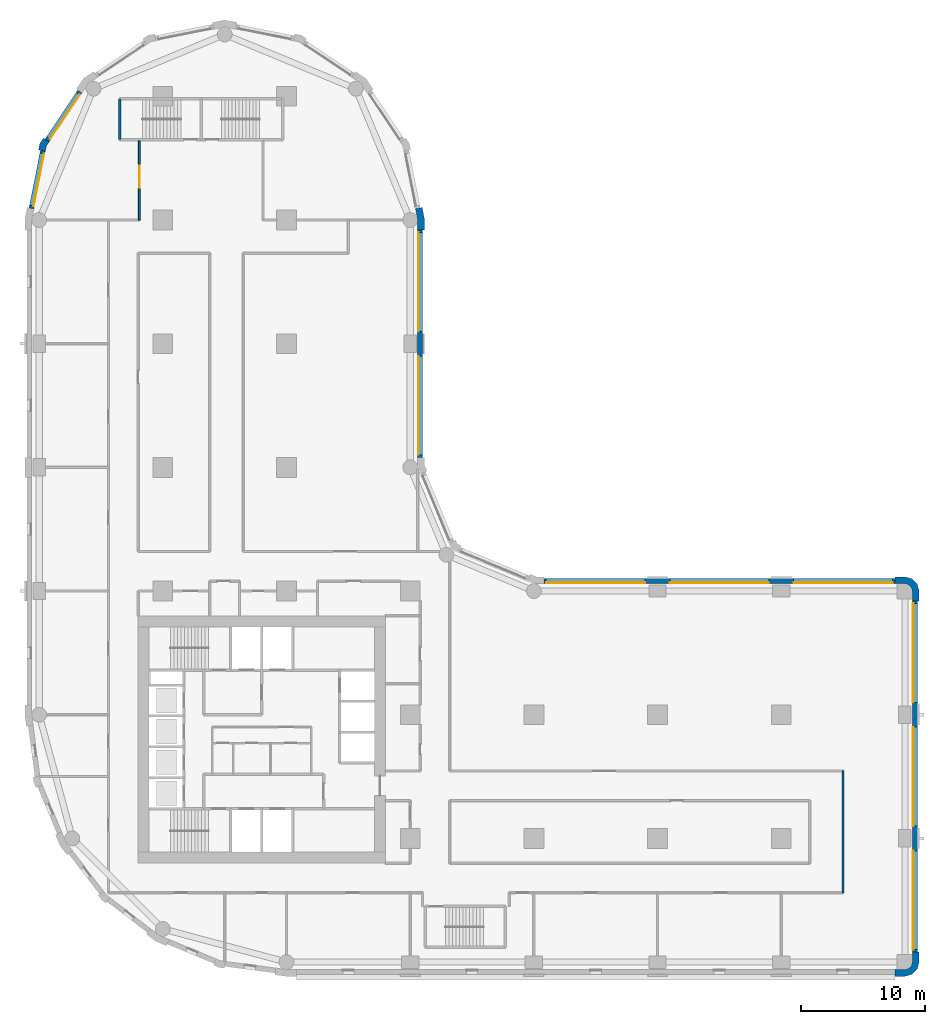
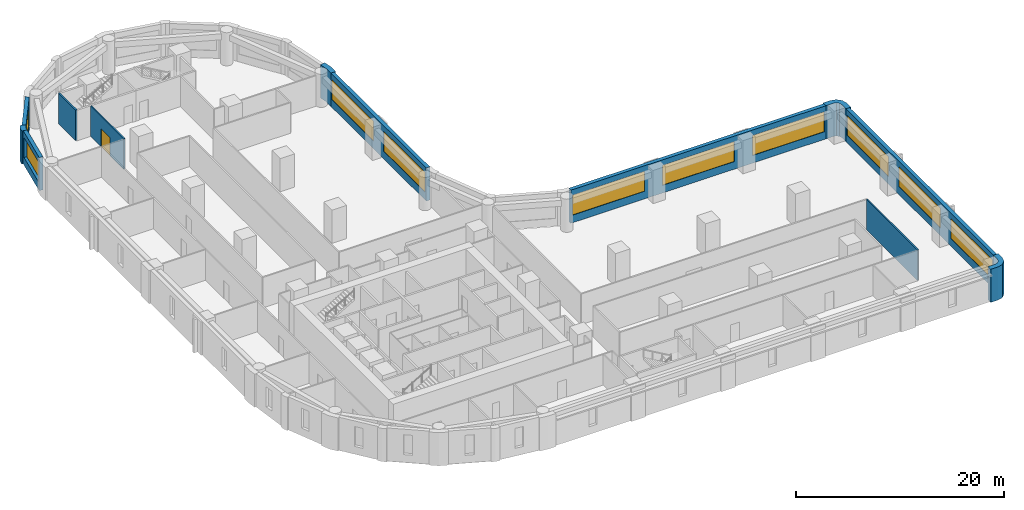
# One storey, part 6 of 10: 12 walls, 10 windows, 1 door, 11 openings.
"""IFC4 building model written with IfcOpenShell, lengths in metres."""

from ifc_helpers import new_model, si_unit, direction, frame, frame_2d, origin, place, context, subcontext, project, spatial, polyline, rectangle, outline, extrude, material, layer, layer_set, type_object, element, fill, save


model = new_model("IFC4")

# Units and contexts
model_context = context("Model", 3, precision=1e-05, world=origin(), true_north=direction((0.0, 1.0)))
body_context = subcontext(model_context, "Body", "Model", "MODEL_VIEW")
ifc_project = project(units=[si_unit("LENGTHUNIT", "METRE"), si_unit("AREAUNIT", "SQUARE_METRE"), si_unit("VOLUMEUNIT", "CUBIC_METRE"), si_unit("PLANEANGLEUNIT", "RADIAN"), si_unit("MASSUNIT", "GRAM", prefix="KILO")], contexts=[model_context])

# Site, building, storey
site_placement = place(None, origin())
site = spatial("IfcSite", under=ifc_project, at=site_placement, CompositionType="ELEMENT")
building_placement = place(site_placement, origin())
building = spatial("IfcBuilding", under=site, at=building_placement, Name="Qaws Garden Tower", CompositionType="ELEMENT")
storey_placement = place(building_placement, frame((0.0, 0.0, 47.10009765625)))
storey = spatial("IfcBuildingStorey", under=building, at=storey_placement, Name="L11", CompositionType="ELEMENT", Elevation=47.10009765625)

# Walls
ifc_material_1 = material(Name="Clay facing brick masonry", Category="masonry")
ifc_layer_1 = layer(ifc_material_1, 0.550048828125)
ifc_layer_set_1 = layer_set([ifc_layer_1], Name="Clay facing brick masonry")
wall_type_1 = type_object("IfcWallType", Name="Brick corner pier 550 x 2400", PredefinedType="SOLIDWALL", material=ifc_layer_set_1)
placement = place(storey_placement, origin())
element("IfcWall", 1, at=placement, inside=storey, type_object=wall_type_1, Name="E-L11-pier-05", PredefinedType="SOLIDWALL", context=body_context, shape_type="SweptSolid", body=[
    extrude(outline(polyline([(69.199951171875, -1.0), (69.199951171875, -1.14990234375), (70.0, -1.14990234375), (70.574951171875, -0.995849609375), (70.995849609375, -0.574951171875), (71.14990234375, 0.0), (71.14990234375, 0.800048828125), (71.0, 0.800048828125), (70.60009765625, 0.800048828125), (70.60009765625, 0.0), (70.51953125, -0.300048828125), (70.300048828125, -0.51953125), (70.0, -0.60009765625), (69.199951171875, -0.60009765625), (69.199951171875, -1.0)])), origin(), (0.0, 0.0, 1.0), 3.89990234375),
])
element("IfcWall", 2, at=placement, inside=storey, type_object=wall_type_1, Name="E-L11-pier-08", PredefinedType="SOLIDWALL", context=body_context, shape_type="SweptSolid", body=[
    extrude(outline(polyline([(71.0, 29.199951171875), (71.14990234375, 29.199951171875), (71.14990234375, 30.0), (70.995849609375, 30.574951171875), (70.574951171875, 30.995849609375), (70.0, 31.14990234375), (69.199951171875, 31.14990234375), (69.199951171875, 31.0), (69.199951171875, 30.60009765625), (70.0, 30.60009765625), (70.300048828125, 30.51953125), (70.51953125, 30.300048828125), (70.60009765625, 30.0), (70.60009765625, 29.199951171875), (71.0, 29.199951171875)])), origin(), (0.0, 0.0, 1.0), 3.89990234375),
])

# Wall, openings, windows
ifc_material_2 = material(Name="Clay facing brick masonry", Category="masonry")
ifc_layer_2 = layer(ifc_material_2, 0.39990234375)
ifc_layer_set_2 = layer_set([ifc_layer_2], Name="Clay facing brick masonry")
wall_type_2 = type_object("IfcWallType", Name="Brick infill wall 400", PredefinedType="SOLIDWALL", material=ifc_layer_set_2)
wall_3_placement = place(storey_placement, frame((70.800048828125, 0.800048828125, 0.0), z_axis=(0.0, 0.0, 1.0), x_axis=(0.0, 1.0, 0.0)))
wall_3 = element("IfcWall", 3, at=wall_3_placement, inside=storey, type_object=wall_type_2, Name="E-L11-infill-05", PredefinedType="SOLIDWALL", context=body_context, shape_type="SweptSolid", body=[
    extrude(rectangle(XDim=28.39990234375, YDim=0.39990234375, at=frame_2d((14.199951171875, 0.0))), origin(), (0.0, 0.0, 1.0), 3.89990234375),
])
opening_1_placement = place(wall_3_placement, frame((0.199951171875, 0.0, 0.89990234375)))
opening_1 = element("IfcOpeningElement", 4, at=opening_1_placement, cuts=wall_3, Name="Opening W01", PredefinedType="OPENING", context=body_context, shape_type="SweptSolid", body=[
    extrude(rectangle(XDim=8.0, YDim=2.35009765625, at=frame_2d((4.0, 1.175048828125))), frame((0.0, 0.2099609375, 0.0), z_axis=(0.0, -1.0, 0.0), x_axis=(1.0, 0.0, 0.0)), (0.0, 0.0, 1.0), 0.419921875),
])
opening_2_placement = place(wall_3_placement, frame((10.199951171875, 0.0, 0.89990234375)))
opening_2 = element("IfcOpeningElement", 5, at=opening_2_placement, cuts=wall_3, Name="Opening W01", PredefinedType="OPENING", context=body_context, shape_type="SweptSolid", body=[
    extrude(rectangle(XDim=8.0, YDim=2.35009765625, at=frame_2d((4.0, 1.175048828125))), frame((0.0, 0.2099609375, 0.0), z_axis=(0.0, -1.0, 0.0), x_axis=(1.0, 0.0, 0.0)), (0.0, 0.0, 1.0), 0.419921875),
])
opening_3_placement = place(wall_3_placement, frame((20.199951171875, 0.0, 0.89990234375)))
opening_3 = element("IfcOpeningElement", 6, at=opening_3_placement, cuts=wall_3, Name="Opening W01", PredefinedType="OPENING", context=body_context, shape_type="SweptSolid", body=[
    extrude(rectangle(XDim=8.0, YDim=2.35009765625, at=frame_2d((4.0, 1.175048828125))), frame((0.0, 0.2099609375, 0.0), z_axis=(0.0, -1.0, 0.0), x_axis=(1.0, 0.0, 0.0)), (0.0, 0.0, 1.0), 0.419921875),
])
ifc_material_3 = material(Name="Aluminium framed window, clear glazing", Category="aluminium")
window_type_1 = type_object("IfcWindowType", Name="Ribbon window 8000 x 2350", PartitioningType="DOUBLE_PANEL_VERTICAL", PredefinedType="WINDOW", material=ifc_material_3)
window_1_placement = place(opening_1_placement, origin())
window_1 = element("IfcWindow", 7, at=window_1_placement, inside=storey, type_object=window_type_1, Name="E-L11-window-05-0", OverallHeight=2.35009765625, OverallWidth=8.0, PartitioningType="SINGLE_PANEL", PredefinedType="WINDOW", context=body_context, shape_type="SweptSolid", body=[
    extrude(rectangle(XDim=8.0, YDim=2.35009765625, at=frame_2d((4.0, 1.175048828125))), frame((0.0, 0.159912109375, 0.0), z_axis=(0.0, -1.0, 0.0), x_axis=(1.0, 0.0, 0.0)), (0.0, 0.0, 1.0), 0.06005859375),
])
fill(opening_1, window_1)
window_2_placement = place(opening_2_placement, origin())
window_2 = element("IfcWindow", 8, at=window_2_placement, inside=storey, type_object=window_type_1, Name="E-L11-window-06-0", OverallHeight=2.35009765625, OverallWidth=8.0, PartitioningType="SINGLE_PANEL", PredefinedType="WINDOW", context=body_context, shape_type="SweptSolid", body=[
    extrude(rectangle(XDim=8.0, YDim=2.35009765625, at=frame_2d((4.0, 1.175048828125))), frame((0.0, 0.159912109375, 0.0), z_axis=(0.0, -1.0, 0.0), x_axis=(1.0, 0.0, 0.0)), (0.0, 0.0, 1.0), 0.06005859375),
])
fill(opening_2, window_2)
window_3_placement = place(opening_3_placement, origin())
window_3 = element("IfcWindow", 9, at=window_3_placement, inside=storey, type_object=window_type_1, Name="E-L11-window-07-0", OverallHeight=2.35009765625, OverallWidth=8.0, PartitioningType="SINGLE_PANEL", PredefinedType="WINDOW", context=body_context, shape_type="SweptSolid", body=[
    extrude(rectangle(XDim=8.0, YDim=2.35009765625, at=frame_2d((4.0, 1.175048828125))), frame((0.0, 0.159912109375, 0.0), z_axis=(0.0, -1.0, 0.0), x_axis=(1.0, 0.0, 0.0)), (0.0, 0.0, 1.0), 0.06005859375),
])
fill(opening_3, window_3)

wall_4_placement = place(storey_placement, frame((69.199951171875, 30.800048828125, 0.0), z_axis=(0.0, 0.0, 1.0), x_axis=(-1.0, 0.0, 0.0)))
wall_4 = element("IfcWall", 10, at=wall_4_placement, inside=storey, type_object=wall_type_2, Name="E-L11-infill-08", PredefinedType="SOLIDWALL", context=body_context, shape_type="SweptSolid", body=[
    extrude(rectangle(XDim=28.39990234375, YDim=0.39990234375, at=frame_2d((14.199951171875, 0.0))), origin(), (0.0, 0.0, 1.0), 3.89990234375),
])
opening_4_placement = place(wall_4_placement, frame((0.199951171875, 0.0, 0.89990234375)))
opening_4 = element("IfcOpeningElement", 11, at=opening_4_placement, cuts=wall_4, Name="Opening W01", PredefinedType="OPENING", context=body_context, shape_type="SweptSolid", body=[
    extrude(rectangle(XDim=8.0, YDim=2.35009765625, at=frame_2d((4.0, 1.175048828125))), frame((0.0, 0.2099609375, 0.0), z_axis=(0.0, -1.0, 0.0), x_axis=(1.0, 0.0, 0.0)), (0.0, 0.0, 1.0), 0.419921875),
])
opening_5_placement = place(wall_4_placement, frame((10.199951171875, 0.0, 0.89990234375)))
opening_5 = element("IfcOpeningElement", 12, at=opening_5_placement, cuts=wall_4, Name="Opening W01", PredefinedType="OPENING", context=body_context, shape_type="SweptSolid", body=[
    extrude(rectangle(XDim=8.0, YDim=2.35009765625, at=frame_2d((4.0, 1.175048828125))), frame((0.0, 0.2099609375, 0.0), z_axis=(0.0, -1.0, 0.0), x_axis=(1.0, 0.0, 0.0)), (0.0, 0.0, 1.0), 0.419921875),
])
opening_6_placement = place(wall_4_placement, frame((20.199951171875, 0.0, 0.89990234375)))
opening_6 = element("IfcOpeningElement", 13, at=opening_6_placement, cuts=wall_4, Name="Opening W01", PredefinedType="OPENING", context=body_context, shape_type="SweptSolid", body=[
    extrude(rectangle(XDim=8.0, YDim=2.35009765625, at=frame_2d((4.0, 1.175048828125))), frame((0.0, 0.2099609375, 0.0), z_axis=(0.0, -1.0, 0.0), x_axis=(1.0, 0.0, 0.0)), (0.0, 0.0, 1.0), 0.419921875),
])
window_4_placement = place(opening_4_placement, origin())
window_4 = element("IfcWindow", 14, at=window_4_placement, inside=storey, type_object=window_type_1, Name="E-L11-window-08-0", OverallHeight=2.35009765625, OverallWidth=8.0, PartitioningType="SINGLE_PANEL", PredefinedType="WINDOW", context=body_context, shape_type="SweptSolid", body=[
    extrude(rectangle(XDim=8.0, YDim=2.35009765625, at=frame_2d((4.0, 1.175048828125))), frame((0.0, 0.159912109375, 0.0), z_axis=(0.0, -1.0, 0.0), x_axis=(1.0, 0.0, 0.0)), (0.0, 0.0, 1.0), 0.06005859375),
])
fill(opening_4, window_4)
window_5_placement = place(opening_5_placement, origin())
window_5 = element("IfcWindow", 15, at=window_5_placement, inside=storey, type_object=window_type_1, Name="E-L11-window-09-0", OverallHeight=2.35009765625, OverallWidth=8.0, PartitioningType="SINGLE_PANEL", PredefinedType="WINDOW", context=body_context, shape_type="SweptSolid", body=[
    extrude(rectangle(XDim=8.0, YDim=2.35009765625, at=frame_2d((4.0, 1.175048828125))), frame((0.0, 0.159912109375, 0.0), z_axis=(0.0, -1.0, 0.0), x_axis=(1.0, 0.0, 0.0)), (0.0, 0.0, 1.0), 0.06005859375),
])
fill(opening_5, window_5)
window_6_placement = place(opening_6_placement, origin())
window_6 = element("IfcWindow", 16, at=window_6_placement, inside=storey, type_object=window_type_1, Name="E-L11-window-10-0", OverallHeight=2.35009765625, OverallWidth=8.0, PartitioningType="SINGLE_PANEL", PredefinedType="WINDOW", context=body_context, shape_type="SweptSolid", body=[
    extrude(rectangle(XDim=8.0, YDim=2.35009765625, at=frame_2d((4.0, 1.175048828125))), frame((0.0, 0.159912109375, 0.0), z_axis=(0.0, -1.0, 0.0), x_axis=(1.0, 0.0, 0.0)), (0.0, 0.0, 1.0), 0.06005859375),
])
fill(opening_6, window_6)

wall_5_placement = place(storey_placement, frame((30.800048828125, 40.800048828125, 0.0), z_axis=(0.0, 0.0, 1.0), x_axis=(0.0, 1.0, 0.0)))
wall_5 = element("IfcWall", 17, at=wall_5_placement, inside=storey, type_object=wall_type_2, Name="E-L11-infill-13", PredefinedType="SOLIDWALL", context=body_context, shape_type="SweptSolid", body=[
    extrude(rectangle(XDim=18.39990234375, YDim=0.39990234375, at=frame_2d((9.199951171875, 0.0))), origin(), (0.0, 0.0, 1.0), 3.89990234375),
])
opening_7_placement = place(wall_5_placement, frame((0.199951171875, 0.0, 0.89990234375)))
opening_7 = element("IfcOpeningElement", 18, at=opening_7_placement, cuts=wall_5, Name="Opening W01", PredefinedType="OPENING", context=body_context, shape_type="SweptSolid", body=[
    extrude(rectangle(XDim=8.0, YDim=2.35009765625, at=frame_2d((4.0, 1.175048828125))), frame((0.0, 0.2099609375, 0.0), z_axis=(0.0, -1.0, 0.0), x_axis=(1.0, 0.0, 0.0)), (0.0, 0.0, 1.0), 0.419921875),
])
opening_8_placement = place(wall_5_placement, frame((10.199951171875, 0.0, 0.89990234375)))
opening_8 = element("IfcOpeningElement", 19, at=opening_8_placement, cuts=wall_5, Name="Opening W01", PredefinedType="OPENING", context=body_context, shape_type="SweptSolid", body=[
    extrude(rectangle(XDim=8.0, YDim=2.35009765625, at=frame_2d((4.0, 1.175048828125))), frame((0.0, 0.2099609375, 0.0), z_axis=(0.0, -1.0, 0.0), x_axis=(1.0, 0.0, 0.0)), (0.0, 0.0, 1.0), 0.419921875),
])
window_7_placement = place(opening_7_placement, origin())
window_7 = element("IfcWindow", 20, at=window_7_placement, inside=storey, type_object=window_type_1, Name="E-L11-window-13-0", OverallHeight=2.35009765625, OverallWidth=8.0, PartitioningType="SINGLE_PANEL", PredefinedType="WINDOW", context=body_context, shape_type="SweptSolid", body=[
    extrude(rectangle(XDim=8.0, YDim=2.35009765625, at=frame_2d((4.0, 1.175048828125))), frame((0.0, 0.159912109375, 0.0), z_axis=(0.0, -1.0, 0.0), x_axis=(1.0, 0.0, 0.0)), (0.0, 0.0, 1.0), 0.06005859375),
])
fill(opening_7, window_7)
window_8_placement = place(opening_8_placement, origin())
window_8 = element("IfcWindow", 21, at=window_8_placement, inside=storey, type_object=window_type_1, Name="E-L11-window-14-0", OverallHeight=2.35009765625, OverallWidth=8.0, PartitioningType="SINGLE_PANEL", PredefinedType="WINDOW", context=body_context, shape_type="SweptSolid", body=[
    extrude(rectangle(XDim=8.0, YDim=2.35009765625, at=frame_2d((4.0, 1.175048828125))), frame((0.0, 0.159912109375, 0.0), z_axis=(0.0, -1.0, 0.0), x_axis=(1.0, 0.0, 0.0)), (0.0, 0.0, 1.0), 0.06005859375),
])
fill(opening_8, window_8)

# Wall, opening, window
wall_6_placement = place(storey_placement, frame((3.28369140625, 70.385986328125, 0.0), z_axis=(0.0, 0.0, 1.0), x_axis=(-0.555541552266, -0.831488775454, 0.0)))
wall_6 = element("IfcWall", 22, at=wall_6_placement, inside=storey, type_object=wall_type_2, Name="E-L11-infill-21", PredefinedType="SOLIDWALL", context=body_context, shape_type="SweptSolid", body=[
    extrude(rectangle(XDim=4.752685546875, YDim=0.39990234375, at=frame_2d((2.37646484375, 0.0))), origin(), (0.0, 0.0, 1.0), 3.89990234375),
])
opening_9_placement = place(wall_6_placement, frame((0.226318359375, 0.0, 0.89990234375)))
opening_9 = element("IfcOpeningElement", 23, at=opening_9_placement, cuts=wall_6, Name="Opening W06", PredefinedType="OPENING", context=body_context, shape_type="SweptSolid", body=[
    extrude(rectangle(XDim=4.300048828125, YDim=2.35009765625, at=frame_2d((2.14990234375, 1.175048828125))), frame((0.0, 0.2099609375, 0.0), z_axis=(0.0, -1.0, 0.0), x_axis=(1.0, 0.0, 0.0)), (0.0, 0.0, 1.0), 0.419921875),
])
ifc_material_4 = material(Name="Aluminium framed window, clear glazing", Category="aluminium")
window_type_2 = type_object("IfcWindowType", Name="Ribbon window 4300 x 2350", PartitioningType="DOUBLE_PANEL_VERTICAL", PredefinedType="WINDOW", material=ifc_material_4)
window_9_placement = place(opening_9_placement, origin())
window_9 = element("IfcWindow", 24, at=window_9_placement, inside=storey, type_object=window_type_2, Name="E-L11-window-21-0", OverallHeight=2.35009765625, OverallWidth=4.300048828125, PartitioningType="SINGLE_PANEL", PredefinedType="WINDOW", context=body_context, shape_type="SweptSolid", body=[
    extrude(rectangle(XDim=4.300048828125, YDim=2.35009765625, at=frame_2d((2.14990234375, 1.175048828125))), frame((0.0, 0.159912109375, 0.0), z_axis=(0.0, -1.0, 0.0), x_axis=(1.0, 0.0, 0.0)), (0.0, 0.0, 1.0), 0.06005859375),
])
fill(opening_9, window_9)

wall_7_placement = place(storey_placement, frame((0.298583984375, 65.60205078125, 0.0), z_axis=(0.0, 0.0, 1.0), x_axis=(-0.195098533057, -0.98078364709, 0.0)))
wall_7 = element("IfcWall", 25, at=wall_7_placement, inside=storey, type_object=wall_type_2, Name="E-L11-infill-22", PredefinedType="SOLIDWALL", context=body_context, shape_type="SweptSolid", body=[
    extrude(rectangle(XDim=4.752685546875, YDim=0.39990234375, at=frame_2d((2.37646484375, 0.0))), origin(), (0.0, 0.0, 1.0), 3.89990234375),
])
opening_10_placement = place(wall_7_placement, frame((0.226318359375, 0.0, 0.89990234375)))
opening_10 = element("IfcOpeningElement", 26, at=opening_10_placement, cuts=wall_7, Name="Opening W06", PredefinedType="OPENING", context=body_context, shape_type="SweptSolid", body=[
    extrude(rectangle(XDim=4.300048828125, YDim=2.35009765625, at=frame_2d((2.14990234375, 1.175048828125))), frame((0.0, 0.2099609375, 0.0), z_axis=(0.0, -1.0, 0.0), x_axis=(1.0, 0.0, 0.0)), (0.0, 0.0, 1.0), 0.419921875),
])
window_10_placement = place(opening_10_placement, origin())
window_10 = element("IfcWindow", 27, at=window_10_placement, inside=storey, type_object=window_type_2, Name="E-L11-window-22-0", OverallHeight=2.35009765625, OverallWidth=4.300048828125, PartitioningType="SINGLE_PANEL", PredefinedType="WINDOW", context=body_context, shape_type="SweptSolid", body=[
    extrude(rectangle(XDim=4.300048828125, YDim=2.35009765625, at=frame_2d((2.14990234375, 1.175048828125))), frame((0.0, 0.159912109375, 0.0), z_axis=(0.0, -1.0, 0.0), x_axis=(1.0, 0.0, 0.0)), (0.0, 0.0, 1.0), 0.06005859375),
])
fill(opening_10, window_10)

# Walls
ifc_material_5 = material(Name="Clay facing brick masonry", Category="masonry")
ifc_layer_3 = layer(ifc_material_5, 0.550048828125)
ifc_layer_set_3 = layer_set([ifc_layer_3], Name="Clay facing brick masonry")
wall_type_3 = type_object("IfcWallType", Name="Brick kink pier 550 x 600", PredefinedType="SOLIDWALL", material=ifc_layer_set_3)
element("IfcWall", 28, at=placement, inside=storey, type_object=wall_type_3, Name="E-L11-pier-22", PredefinedType="SOLIDWALL", context=body_context, shape_type="SweptSolid", body=[
    extrude(outline(polyline([(0.47705078125, 66.545166015625), (0.352294921875, 66.628662109375), (0.05859375, 66.18896484375), (-0.044677734375, 65.67041015625), (0.1025390625, 65.64111328125), (0.494873046875, 65.56298828125), (0.57666015625, 65.974365234375), (0.8095703125, 66.322998046875), (0.47705078125, 66.545166015625)])), origin(), (0.0, 0.0, 1.0), 3.89990234375),
])
ifc_material_6 = material(Name="Clay facing brick masonry", Category="masonry")
ifc_layer_4 = layer(ifc_material_6, 0.550048828125)
ifc_layer_set_4 = layer_set([ifc_layer_4], Name="Clay facing brick masonry")
wall_type_4 = type_object("IfcWallType", Name="Brick pier 550 x 1600", PredefinedType="SOLIDWALL", material=ifc_layer_set_4)
element("IfcWall", 29, at=placement, inside=storey, type_object=wall_type_4, Name="E-L11-pier-15", PredefinedType="SOLIDWALL", context=body_context, shape_type="SweptSolid", body=[
    extrude(outline(polyline([(31.0, 59.199951171875), (31.14990234375, 59.199951171875), (31.14990234375, 60.11328125), (30.971923828125, 61.009033203125), (30.82470703125, 60.979736328125), (30.432373046875, 60.901611328125), (30.60009765625, 60.05908203125), (30.60009765625, 59.199951171875), (31.0, 59.199951171875)])), origin(), (0.0, 0.0, 1.0), 3.89990234375),
])
ifc_material_7 = material(Name="Concrete C80", Category="concrete")
ifc_layer_5 = layer(ifc_material_7, 0.199951171875)
ifc_layer_set_5 = layer_set([ifc_layer_5], Name="Concrete C80")
wall_type_5 = type_object("IfcWallType", Name="Core shaft wall 200 C80", PredefinedType="SHEAR", material=ifc_layer_set_5)
wall_10_placement = place(storey_placement, frame((6.5, 66.5, 0.0), z_axis=(0.0, 0.0, 1.0), x_axis=(0.0, 1.0, 0.0)))
element("IfcWall", 30, at=wall_10_placement, inside=storey, type_object=wall_type_5, Name="Shaft wall", PredefinedType="SHEAR", context=body_context, shape_type="SweptSolid", body=[
    extrude(rectangle(XDim=3.300048828125, YDim=0.199951171875, at=frame_2d((1.64990234375, 0.0))), origin(), (0.0, 0.0, 1.0), 3.579833984375),
])

# Wall, opening, door
ifc_material_8 = material(Name="Gypsum board partition")
ifc_layer_6 = layer(ifc_material_8, 0.14990234375)
ifc_layer_set_6 = layer_set([ifc_layer_6], Name="Gypsum board partition")
wall_type_6 = type_object("IfcWallType", Name="PARTITION 150 EI 60", PredefinedType="PARTITIONING", material=ifc_layer_set_6)
wall_11_placement = place(storey_placement, frame((8.10009765625, 60.0, 0.0), z_axis=(0.0, 0.0, 1.0), x_axis=(0.0, 1.0, 0.0)))
wall_11 = element("IfcWall", 31, at=wall_11_placement, inside=storey, type_object=wall_type_6, Name="O-L11-wall-004", PredefinedType="PARTITIONING", context=body_context, shape_type="SweptSolid", body=[
    extrude(rectangle(XDim=6.39990234375, YDim=0.14990234375, at=frame_2d((3.199951171875, 0.0))), origin(), (0.0, 0.0, 1.0), 3.579833984375),
])
opening_11_placement = place(wall_11_placement, frame((2.60009765625, 0.0, 0.0)))
opening_11 = element("IfcOpeningElement", 32, at=opening_11_placement, cuts=wall_11, Name="Opening A416", PredefinedType="OPENING", context=body_context, shape_type="SweptSolid", body=[
    extrude(rectangle(XDim=1.800048828125, YDim=2.10009765625, at=frame_2d((0.89990234375, 1.050048828125))), frame((0.0, 0.0849609375, 0.0), z_axis=(0.0, -1.0, 0.0), x_axis=(1.0, 0.0, 0.0)), (0.0, 0.0, 1.0), 0.169921875),
])
ifc_material_9 = material(Name="Timber door leaf", Category="wood")
door_type = type_object("IfcDoorType", Name="DOUBLE DOOR 1800 X 2100", OperationType="DOUBLE_DOOR_SINGLE_SWING", PredefinedType="DOOR", material=ifc_material_9)
door_placement = place(opening_11_placement, origin())
door = element("IfcDoor", 33, at=door_placement, inside=storey, type_object=door_type, Name="O-L11-door-016", OperationType="DOUBLE_DOOR_SINGLE_SWING", OverallHeight=2.10009765625, OverallWidth=1.800048828125, PredefinedType="DOOR", context=body_context, shape_type="SweptSolid", body=[
    extrude(rectangle(XDim=1.800048828125, YDim=2.10009765625, at=frame_2d((0.89990234375, 1.050048828125))), frame((0.0, 0.02490234375, 0.0), z_axis=(0.0, -1.0, 0.0), x_axis=(1.0, 0.0, 0.0)), (0.0, 0.0, 1.0), 0.050048828125),
])
fill(opening_11, door)

# Wall
wall_12_placement = place(storey_placement, frame((65.0, 5.60009765625, 0.0), z_axis=(0.0, 0.0, 1.0), x_axis=(0.0, 1.0, 0.0)))
element("IfcWall", 34, at=wall_12_placement, inside=storey, type_object=wall_type_6, Name="O-L11-wall-028", PredefinedType="PARTITIONING", context=body_context, shape_type="SweptSolid", body=[
    extrude(rectangle(XDim=9.849853515625, YDim=0.14990234375, at=frame_2d((4.9248046875, 0.0))), origin(), (0.0, 0.0, 1.0), 3.579833984375),
])

save(model, "model.ifc")
